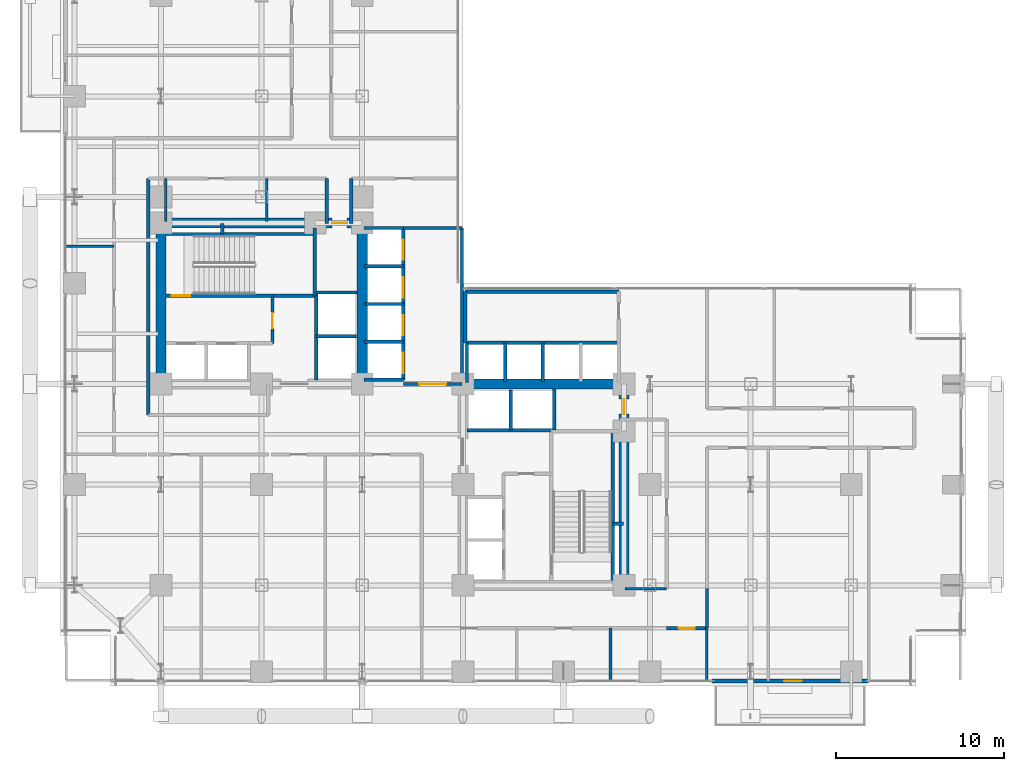
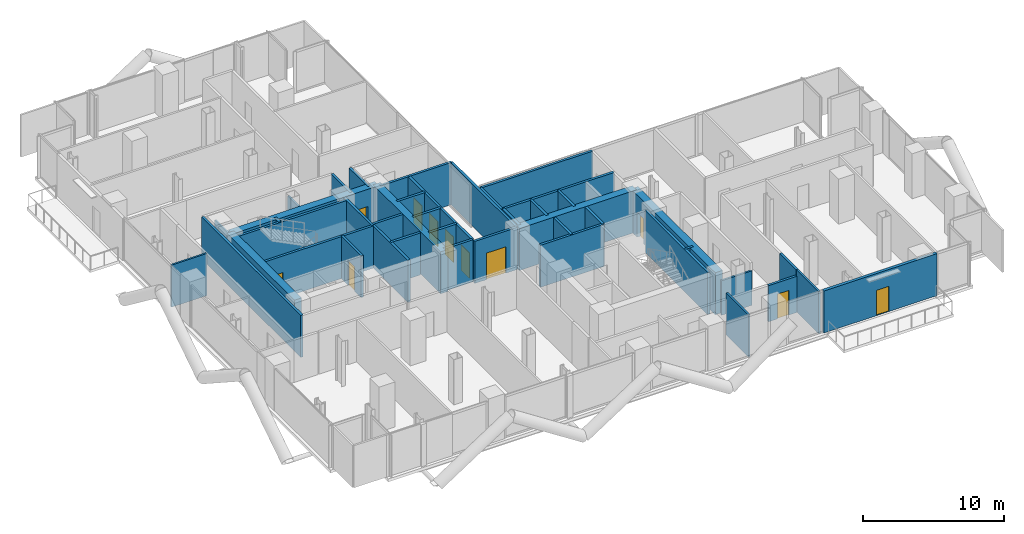
# One storey, part 22 of 27: 45 walls, 11 doors, 11 openings.
"""IFC4 building model written with IfcOpenShell, lengths in metres."""

from ifc_helpers import new_model, si_unit, direction, frame, frame_2d, origin, place, context, subcontext, project, spatial, rectangle, extrude, material, layer, layer_set, type_object, element, fill, save


model = new_model("IFC4")

# Units and contexts
model_context = context("Model", 3, precision=1e-05, world=origin(), true_north=direction((0.0, 1.0)))
body_context = subcontext(model_context, "Body", "Model", "MODEL_VIEW")
ifc_project = project(units=[si_unit("LENGTHUNIT", "METRE"), si_unit("AREAUNIT", "SQUARE_METRE"), si_unit("VOLUMEUNIT", "CUBIC_METRE"), si_unit("PLANEANGLEUNIT", "RADIAN"), si_unit("MASSUNIT", "GRAM", prefix="KILO"), si_unit("THERMODYNAMICTEMPERATUREUNIT", "KELVIN"), si_unit("POWERUNIT", "WATT")], contexts=[model_context])

# Site, building, storey
site_placement = place(None, origin())
site = spatial("IfcSite", under=ifc_project, at=site_placement, CompositionType="ELEMENT")
building_placement = place(site_placement, origin())
building = spatial("IfcBuilding", under=site, at=building_placement, Name="Svarakhadi Broadcast Tower", CompositionType="ELEMENT")
storey_placement = place(building_placement, frame((0.0, 0.0, 55.800048828125)))
storey = spatial("IfcBuildingStorey", under=building, at=storey_placement, Name="L12", CompositionType="ELEMENT", Elevation=55.800048828125)

# Wall, opening, door
ifc_material_1 = material(Name="Concrete C40/50 (IS 456 M50)", Category="concrete")
ifc_layer_1 = layer(ifc_material_1, 0.239990234375)
ifc_layer_set_1 = layer_set([ifc_layer_1], Name="Concrete C40/50 (IS 456 M50)")
wall_type_1 = type_object("IfcWallType", Name="Wall_Ext_240", PredefinedType="SOLIDWALL", material=ifc_layer_set_1)
wall_1_placement = place(storey_placement, frame((48.14501953125, 0.300048828125, 0.0), z_axis=(0.0, 0.0, 1.0), x_axis=(-1.0, 0.0, 0.0)))
wall_1 = element("IfcWall", 1, at=wall_1_placement, inside=storey, type_object=wall_type_1, Name="L12 South Tree Balcony Spandrel Wall", PredefinedType="SOLIDWALL", context=body_context, shape_type="SweptSolid", body=[
    extrude(rectangle(XDim=9.2900390625, YDim=0.239990234375, at=frame_2d((4.64501953125, 0.0))), origin(), (0.0, 0.0, 1.0), 3.64990234375),
])
opening_1_placement = place(wall_1_placement, frame((3.945068359375, 0.0, 0.0)))
opening_1 = element("IfcOpeningElement", 2, at=opening_1_placement, cuts=wall_1, Name="Opening ED-06", PredefinedType="OPENING", context=body_context, shape_type="SweptSolid", body=[
    extrude(rectangle(XDim=1.050048828125, YDim=2.199951171875, at=frame_2d((0.52490234375, 1.10009765625))), frame((0.0, 0.1298828125, 0.0), z_axis=(0.0, -1.0, 0.0), x_axis=(1.0, 0.0, 0.0)), (0.0, 0.0, 1.0), 0.260009765625),
])
ifc_material_2 = material(Name="Anodised Bronze Aluminium AA 6063-T6", Category="aluminium")
door_type_1 = type_object("IfcDoorType", Name="Door_Ext_ED06", OperationType="SINGLE_SWING_RIGHT", PredefinedType="DOOR", material=ifc_material_2)
door_1_placement = place(opening_1_placement, origin())
door_1 = element("IfcDoor", 3, at=door_1_placement, inside=storey, type_object=door_type_1, Name="L12 South Tree Balcony Door", OperationType="SINGLE_SWING_RIGHT", OverallHeight=2.199951171875, OverallWidth=1.050048828125, PredefinedType="DOOR", context=body_context, shape_type="SweptSolid", body=[
    extrude(rectangle(XDim=1.050048828125, YDim=2.199951171875, at=frame_2d((0.52490234375, 1.10009765625))), frame((0.0, 0.02490234375, 0.0), z_axis=(0.0, -1.0, 0.0), x_axis=(1.0, 0.0, 0.0)), (0.0, 0.0, 1.0), 0.050048828125),
])
fill(opening_1, door_1)

# Walls
ifc_layer_2 = layer(ifc_material_1, 0.199951171875)
ifc_layer_set_2 = layer_set([ifc_layer_2], Name="Concrete C40/50 (IS 456 M50)")
wall_type_2 = type_object("IfcWallType", Name="Wall_Fire_200", PredefinedType="SOLIDWALL", material=ifc_layer_set_2)
for number, where, z_axis, x_axis, name in (
    (4, (9.659912109375, 26.93994140625, 0.0), (0.0, 0.0, 1.0), (0.0, 1.0, 0.0), "L12 Wet Riser Shaft East Wall"),
    (5, (32.93994140625, 9.659912109375, 0.0), (0.0, 0.0, 1.0), (1.0, 0.0, 0.0), "L12 HV Busduct Riser Shaft North Wall"),
):
    element("IfcWall", number, at=place(storey_placement, frame(where, z_axis=z_axis, x_axis=x_axis)), inside=storey, type_object=wall_type_2, Name=name, PredefinedType="SOLIDWALL", context=body_context, shape_type="SweptSolid", body=[
        extrude(rectangle(XDim=0.64013671875, YDim=0.199951171875, at=frame_2d((0.320068359375, 0.0))), origin(), (0.0, 0.0, 1.0), 3.64990234375),
    ])
wall_2_placement = place(storey_placement, frame((38.550048828125, 5.800048828125, 0.0), z_axis=(0.0, 0.0, 1.0), x_axis=(0.0, -1.0, 0.0)))
element("IfcWall", 6, at=wall_2_placement, inside=storey, type_object=wall_type_2, Name="L12 Broadcast Corridor Wall", PredefinedType="SOLIDWALL", context=body_context, shape_type="SweptSolid", body=[
    extrude(rectangle(XDim=2.35009765625, YDim=0.199951171875, at=frame_2d((1.175048828125, 0.0))), origin(), (0.0, 0.0, 1.0), 3.64990234375),
])

# Wall, opening, door
wall_3_placement = place(storey_placement, frame((38.550048828125, 3.449951171875, 0.0), z_axis=(0.0, 0.0, 1.0), x_axis=(-1.0, 0.0, 0.0)))
wall_3 = element("IfcWall", 7, at=wall_3_placement, inside=storey, type_object=wall_type_2, Name="L12 Broadcast Corridor Wall", PredefinedType="SOLIDWALL", context=body_context, shape_type="SweptSolid", body=[
    extrude(rectangle(XDim=2.400146484375, YDim=0.199951171875, at=frame_2d((1.2001953125, 0.0))), origin(), (0.0, 0.0, 1.0), 3.141845703125),
])
opening_2_placement = place(wall_3_placement, frame((0.72509765625, 0.0, 0.0)))
opening_2 = element("IfcOpeningElement", 8, at=opening_2_placement, cuts=wall_3, Name="Opening D-06", PredefinedType="OPENING", context=body_context, shape_type="SweptSolid", body=[
    extrude(rectangle(XDim=0.949951171875, YDim=2.14990234375, at=frame_2d((0.47509765625, 1.074951171875))), frame((0.0, 0.10986328125, 0.0), z_axis=(0.0, -1.0, 0.0), x_axis=(1.0, 0.0, 0.0)), (0.0, 0.0, 1.0), 0.219970703125),
])
ifc_material_3 = material(Name="Solid-Core Teak Veneer Acoustic Timber Leaf", Category="wood")
door_type_2 = type_object("IfcDoorType", Name="Door_Office_D06", OperationType="SINGLE_SWING_LEFT", PredefinedType="DOOR", material=ifc_material_3)
door_2_placement = place(opening_2_placement, origin())
door_2 = element("IfcDoor", 9, at=door_2_placement, inside=storey, type_object=door_type_2, Name="L12 Broadcast Staff Refreshment Pantry Door", OperationType="SINGLE_SWING_LEFT", OverallHeight=2.14990234375, OverallWidth=0.949951171875, PredefinedType="DOOR", context=body_context, shape_type="SweptSolid", body=[
    extrude(rectangle(XDim=0.949951171875, YDim=2.14990234375, at=frame_2d((0.47509765625, 1.074951171875))), frame((0.0, 0.02490234375, 0.0), z_axis=(0.0, -1.0, 0.0), x_axis=(1.0, 0.0, 0.0)), (0.0, 0.0, 1.0), 0.050048828125),
])
fill(opening_2, door_2)

# Walls
for number, where, z_axis, x_axis, name in (
    (10, (17.35009765625, 30.25, 0.0), (0.0, 0.0, 1.0), (0.0, -1.0, 0.0), "L12 Broadcast Corridor Wall"),
    (11, (15.8798828125, 27.580078125, 0.0), (0.0, 0.0, 1.0), (0.0, 1.0, 0.0), "L12 Broadcast Corridor Wall"),
):
    element("IfcWall", number, at=place(storey_placement, frame(where, z_axis=z_axis, x_axis=x_axis)), inside=storey, type_object=wall_type_2, Name=name, PredefinedType="SOLIDWALL", context=body_context, shape_type="SweptSolid", body=[
        extrude(rectangle(XDim=2.669921875, YDim=0.199951171875, at=frame_2d((1.3349609375, 0.0))), origin(), (0.0, 0.0, 1.0), 3.64990234375),
    ])
wall_4_placement = place(storey_placement, frame((5.25, 30.25, 0.0), z_axis=(0.0, 0.0, 1.0), x_axis=(0.0, -1.0, 0.0)))
element("IfcWall", 12, at=wall_4_placement, inside=storey, type_object=wall_type_2, Name="L12 Broadcast Corridor Wall", PredefinedType="SOLIDWALL", context=body_context, shape_type="SweptSolid", body=[
    extrude(rectangle(XDim=14.10009765625, YDim=0.199951171875, at=frame_2d((7.050048828125, 0.0))), origin(), (0.0, 0.0, 1.0), 3.64990234375),
])
ifc_material_4 = material(Name="Autoclaved Aerated Concrete Blockwork 150 mm", Category="masonry")
ifc_layer_3 = layer(ifc_material_4, 0.14990234375)
ifc_layer_set_3 = layer_set([ifc_layer_3], Name="Autoclaved Aerated Concrete Blockwork 150 mm")
wall_type_3 = type_object("IfcWallType", Name="Wall_Part_150", PredefinedType="PARTITIONING", material=ifc_layer_set_3)
for number, where, z_axis, x_axis, name in (
    (13, (6.300048828125, 27.679931640625, 0.0), (0.0, 0.0, 1.0), (0.0, 1.0, 0.0), "L12 Accessible Toilet WC Wall"),
    (14, (12.300048828125, 27.679931640625, 0.0), (0.0, 0.0, 1.0), (0.0, 1.0, 0.0), "L12 Accessible Toilet WC Wall"),
):
    element("IfcWall", number, at=place(storey_placement, frame(where, z_axis=z_axis, x_axis=x_axis)), inside=storey, type_object=wall_type_3, Name=name, PredefinedType="PARTITIONING", context=body_context, shape_type="SweptSolid", body=[
        extrude(rectangle(XDim=2.570068359375, YDim=0.14990234375, at=frame_2d((1.28515625, 0.0))), origin(), (0.0, 0.0, 1.0), 2.991943359375),
    ])
wall_5_placement = place(storey_placement, frame((0.300048828125, 26.199951171875, 0.0), z_axis=(0.0, 0.0, 1.0), x_axis=(1.0, 0.0, 0.0)))
element("IfcWall", 15, at=wall_5_placement, inside=storey, type_object=wall_type_3, Name="L12 Live Translation Studio Wall", PredefinedType="PARTITIONING", context=body_context, shape_type="SweptSolid", body=[
    extrude(rectangle(XDim=2.89990234375, YDim=0.14990234375, at=frame_2d((1.449951171875, 0.0))), origin(), (0.0, 0.0, 1.0), 3.64990234375),
])
for number, where, z_axis, x_axis, name in (
    (16, (32.800048828125, 0.300048828125, 0.0), (0.0, 0.0, 1.0), (0.0, 1.0, 0.0), "L12 Media Legal Review Office Wall"),
    (17, (38.550048828125, 0.300048828125, 0.0), (0.0, 0.0, 1.0), (0.0, 1.0, 0.0), "L12 Broadcast Staff Refreshment Pantry Wall"),
):
    element("IfcWall", number, at=place(storey_placement, frame(where, z_axis=z_axis, x_axis=x_axis)), inside=storey, type_object=wall_type_3, Name=name, PredefinedType="PARTITIONING", context=body_context, shape_type="SweptSolid", body=[
        extrude(rectangle(XDim=3.14990234375, YDim=0.14990234375, at=frame_2d((1.574951171875, 0.0))), origin(), (0.0, 0.0, 1.0), 3.64990234375),
    ])
wall_6_placement = place(storey_placement, frame((33.64990234375, 5.800048828125, 0.0), z_axis=(0.0, 0.0, 1.0), x_axis=(1.0, 0.0, 0.0)))
element("IfcWall", 18, at=wall_6_placement, inside=storey, type_object=wall_type_3, Name="L12 Live Feed Monitoring Studio Wall", PredefinedType="PARTITIONING", context=body_context, shape_type="SweptSolid", body=[
    extrude(rectangle(XDim=2.5, YDim=0.14990234375, at=frame_2d((1.25, 0.0))), origin(), (0.0, 0.0, 1.0), 2.991943359375),
])

# Wall, opening, door
ifc_material_5 = material(Name="Concrete C50/60 (IS 456 M60)", Category="concrete")
ifc_layer_4 = layer(ifc_material_5, 0.199951171875)
ifc_layer_set_4 = layer_set([ifc_layer_4], Name="Concrete C50/60 (IS 456 M60)")
wall_type_4 = type_object("IfcWallType", Name="Wall_Shear_200", PredefinedType="SHEAR", material=ifc_layer_set_4)
wall_7_placement = place(storey_placement, frame((6.300048828125, 23.260009765625, 0.0), z_axis=(0.0, 0.0, 1.0), x_axis=(1.0, 0.0, 0.0)))
wall_7 = element("IfcWall", 19, at=wall_7_placement, inside=storey, type_object=wall_type_4, Name="L12 Stair ST-01 South RC Shaft Wall", PredefinedType="SHEAR", context=body_context, shape_type="SweptSolid", body=[
    extrude(rectangle(XDim=8.8798828125, YDim=0.199951171875, at=frame_2d((4.43994140625, 0.0))), origin(), (0.0, 0.0, 1.0), 3.64990234375),
])
opening_3_placement = place(wall_7_placement, frame((0.35009765625, 0.0, 0.0)))
opening_3 = element("IfcOpeningElement", 20, at=opening_3_placement, cuts=wall_7, Name="Opening D-01", PredefinedType="OPENING", context=body_context, shape_type="SweptSolid", body=[
    extrude(rectangle(XDim=1.10009765625, YDim=2.199951171875, at=frame_2d((0.550048828125, 1.10009765625))), frame((0.0, 0.10986328125, 0.0), z_axis=(0.0, -1.0, 0.0), x_axis=(1.0, 0.0, 0.0)), (0.0, 0.0, 1.0), 0.219970703125),
])
ifc_material_6 = material(Name="Galvanised Powder-Coated Fire-Rated Steel Leaf", Category="steel")
door_type_3 = type_object("IfcDoorType", Name="Door_Stair_D01", OperationType="SINGLE_SWING_LEFT", PredefinedType="DOOR", material=ifc_material_6)
door_3_placement = place(opening_3_placement, origin())
door_3 = element("IfcDoor", 21, at=door_3_placement, inside=storey, type_object=door_type_3, Name="L12 Protected Exit Stair ST-01 Fire Door", OperationType="SINGLE_SWING_LEFT", OverallHeight=2.199951171875, OverallWidth=1.10009765625, PredefinedType="DOOR", context=body_context, shape_type="SweptSolid", body=[
    extrude(rectangle(XDim=1.10009765625, YDim=2.199951171875, at=frame_2d((0.550048828125, 1.10009765625))), frame((0.0, 0.02490234375, 0.0), z_axis=(0.0, -1.0, 0.0), x_axis=(1.0, 0.0, 0.0)), (0.0, 0.0, 1.0), 0.050048828125),
])
fill(opening_3, door_3)

# Walls
wall_8_placement = place(storey_placement, frame((6.300048828125, 26.93994140625, 0.0), z_axis=(0.0, 0.0, 1.0), x_axis=(1.0, 0.0, 0.0)))
element("IfcWall", 22, at=wall_8_placement, inside=storey, type_object=wall_type_4, Name="L12 Stair ST-01 North RC Shaft Wall", PredefinedType="SHEAR", context=body_context, shape_type="SweptSolid", body=[
    extrude(rectangle(XDim=8.8798828125, YDim=0.199951171875, at=frame_2d((4.43994140625, 0.0))), origin(), (0.0, 0.0, 1.0), 3.64990234375),
])
wall_9_placement = place(storey_placement, frame((15.179931640625, 23.260009765625, 0.0), z_axis=(0.0, 0.0, 1.0), x_axis=(0.0, 1.0, 0.0)))
element("IfcWall", 23, at=wall_9_placement, inside=storey, type_object=wall_type_4, Name="L12 Stair ST-01 East RC Shaft Wall", PredefinedType="SHEAR", context=body_context, shape_type="SweptSolid", body=[
    extrude(rectangle(XDim=4.0400390625, YDim=0.199951171875, at=frame_2d((2.02001953125, 0.0))), origin(), (0.0, 0.0, 1.0), 3.64990234375),
])
wall_10_placement = place(storey_placement, frame((32.93994140625, 6.300048828125, 0.0), z_axis=(0.0, 0.0, 1.0), x_axis=(0.0, 1.0, 0.0)))
element("IfcWall", 24, at=wall_10_placement, inside=storey, type_object=wall_type_4, Name="L12 Stair ST-02 East RC Shaft Wall", PredefinedType="SHEAR", context=body_context, shape_type="SweptSolid", body=[
    extrude(rectangle(XDim=8.8798828125, YDim=0.199951171875, at=frame_2d((4.43994140625, 0.0))), origin(), (0.0, 0.0, 1.0), 3.64990234375),
])

# Wall, opening, door
wall_11_placement = place(storey_placement, frame((12.64990234375, 20.419921875, 0.0), z_axis=(0.0, 0.0, 1.0), x_axis=(0.0, 1.0, 0.0)))
wall_11 = element("IfcWall", 25, at=wall_11_placement, inside=storey, type_object=wall_type_4, Name="L12 West Firefighting Lobby East Wall", PredefinedType="SHEAR", context=body_context, shape_type="SweptSolid", body=[
    extrude(rectangle(XDim=2.840087890625, YDim=0.199951171875, at=frame_2d((1.419921875, 0.0))), origin(), (0.0, 0.0, 1.0), 3.64990234375),
])
opening_4_placement = place(wall_11_placement, frame((0.89990234375, 0.0, 0.0)))
opening_4 = element("IfcOpeningElement", 26, at=opening_4_placement, cuts=wall_11, Name="Opening D-03", PredefinedType="OPENING", context=body_context, shape_type="SweptSolid", body=[
    extrude(rectangle(XDim=0.89990234375, YDim=2.14990234375, at=frame_2d((0.449951171875, 1.074951171875))), frame((0.0, 0.10986328125, 0.0), z_axis=(0.0, -1.0, 0.0), x_axis=(1.0, 0.0, 0.0)), (0.0, 0.0, 1.0), 0.219970703125),
])
door_type_4 = type_object("IfcDoorType", Name="Door_Fire_D03", OperationType="SINGLE_SWING_LEFT", PredefinedType="DOOR", material=ifc_material_6)
door_4_placement = place(opening_4_placement, origin())
door_4 = element("IfcDoor", 27, at=door_4_placement, inside=storey, type_object=door_type_4, Name="L12 West Firefighting Lobby Fire Door", OperationType="SINGLE_SWING_LEFT", OverallHeight=2.14990234375, OverallWidth=0.89990234375, PredefinedType="DOOR", context=body_context, shape_type="SweptSolid", body=[
    extrude(rectangle(XDim=0.89990234375, YDim=2.14990234375, at=frame_2d((0.449951171875, 1.074951171875))), frame((0.0, 0.02490234375, 0.0), z_axis=(0.0, -1.0, 0.0), x_axis=(1.0, 0.0, 0.0)), (0.0, 0.0, 1.0), 0.050048828125),
])
fill(opening_4, door_4)

# Walls
wall_12_placement = place(storey_placement, frame((15.25, 18.25, 0.0), z_axis=(0.0, 0.0, 1.0), x_axis=(0.0, 1.0, 0.0)))
element("IfcWall", 28, at=wall_12_placement, inside=storey, type_object=wall_type_4, Name="L12 High-Rise Lift LF-13/14 West Shaft Wall", PredefinedType="SHEAR", context=body_context, shape_type="SweptSolid", body=[
    extrude(rectangle(XDim=5.199951171875, YDim=0.199951171875, at=frame_2d((2.60009765625, 0.0))), origin(), (0.0, 0.0, 1.0), 3.64990234375),
])
wall_13_placement = place(storey_placement, frame((15.25, 20.85009765625, 0.0), z_axis=(0.0, 0.0, 1.0), x_axis=(1.0, 0.0, 0.0)))
element("IfcWall", 29, at=wall_13_placement, inside=storey, type_object=wall_type_4, Name="L12 High-Rise Lift LF-13/14 Divider", PredefinedType="SHEAR", context=body_context, shape_type="SweptSolid", body=[
    extrude(rectangle(XDim=2.39990234375, YDim=0.199951171875, at=frame_2d((1.199951171875, 0.0))), origin(), (0.0, 0.0, 1.0), 3.64990234375),
])
wall_14_placement = place(storey_placement, frame((15.25, 23.449951171875, 0.0), z_axis=(0.0, 0.0, 1.0), x_axis=(1.0, 0.0, 0.0)))
element("IfcWall", 30, at=wall_14_placement, inside=storey, type_object=wall_type_4, Name="L12 High-Rise Lift LF-13/14 North Wall", PredefinedType="SHEAR", context=body_context, shape_type="SweptSolid", body=[
    extrude(rectangle(XDim=2.449951171875, YDim=0.199951171875, at=frame_2d((1.22509765625, 0.0))), origin(), (0.0, 0.0, 1.0), 3.64990234375),
])
wall_15_placement = place(storey_placement, frame((24.25, 15.25, 0.0), z_axis=(0.0, 0.0, 1.0), x_axis=(1.0, 0.0, 0.0)))
element("IfcWall", 31, at=wall_15_placement, inside=storey, type_object=wall_type_4, Name="L12 High-Rise Lift LF-15/16 South Shaft Wall", PredefinedType="SHEAR", context=body_context, shape_type="SweptSolid", body=[
    extrude(rectangle(XDim=5.199951171875, YDim=0.199951171875, at=frame_2d((2.60009765625, 0.0))), origin(), (0.0, 0.0, 1.0), 3.64990234375),
])
wall_16_placement = place(storey_placement, frame((26.85009765625, 15.25, 0.0), z_axis=(0.0, 0.0, 1.0), x_axis=(0.0, 1.0, 0.0)))
element("IfcWall", 32, at=wall_16_placement, inside=storey, type_object=wall_type_4, Name="L12 High-Rise Lift LF-15/16 Divider", PredefinedType="SHEAR", context=body_context, shape_type="SweptSolid", body=[
    extrude(rectangle(XDim=2.39990234375, YDim=0.199951171875, at=frame_2d((1.199951171875, 0.0))), origin(), (0.0, 0.0, 1.0), 3.64990234375),
])
wall_17_placement = place(storey_placement, frame((29.449951171875, 15.25, 0.0), z_axis=(0.0, 0.0, 1.0), x_axis=(0.0, 1.0, 0.0)))
element("IfcWall", 33, at=wall_17_placement, inside=storey, type_object=wall_type_4, Name="L12 High-Rise Lift LF-15/16 East Wall", PredefinedType="SHEAR", context=body_context, shape_type="SweptSolid", body=[
    extrude(rectangle(XDim=2.449951171875, YDim=0.199951171875, at=frame_2d((1.22509765625, 0.0))), origin(), (0.0, 0.0, 1.0), 3.64990234375),
])
for number, where, z_axis, x_axis, name in (
    (34, (18.10009765625, 27.300048828125, 0.0), (0.0, 0.0, 1.0), (1.0, 0.0, 0.0), "L12 Bank A North Shaft Wall"),
    (35, (18.10009765625, 18.25, 0.0), (0.0, 0.0, 1.0), (1.0, 0.0, 0.0), "L12 Bank A South Shaft Wall"),
):
    element("IfcWall", number, at=place(storey_placement, frame(where, z_axis=z_axis, x_axis=x_axis)), inside=storey, type_object=wall_type_4, Name=name, PredefinedType="SHEAR", context=body_context, shape_type="SweptSolid", body=[
        extrude(rectangle(XDim=2.349853515625, YDim=0.199951171875, at=frame_2d((1.1748046875, 0.0))), origin(), (0.0, 0.0, 1.0), 3.64990234375),
    ])

# Wall, openings, doors
wall_18_placement = place(storey_placement, frame((20.449951171875, 18.25, 0.0), z_axis=(0.0, 0.0, 1.0), x_axis=(0.0, 1.0, 0.0)))
wall_18 = element("IfcWall", 36, at=wall_18_placement, inside=storey, type_object=wall_type_4, Name="L12 Bank A East Landing Wall", PredefinedType="SHEAR", context=body_context, shape_type="SweptSolid", body=[
    extrude(rectangle(XDim=9.050048828125, YDim=0.199951171875, at=frame_2d((4.52490234375, 0.0))), origin(), (0.0, 0.0, 1.0), 3.64990234375),
])
opening_5_placement = place(wall_18_placement, frame((0.39990234375, 0.0, 0.0)))
opening_5 = element("IfcOpeningElement", 37, at=opening_5_placement, cuts=wall_18, Name="Opening LD-02", PredefinedType="OPENING", context=body_context, shape_type="SweptSolid", body=[
    extrude(rectangle(XDim=1.199951171875, YDim=2.199951171875, at=frame_2d((0.60009765625, 1.10009765625))), frame((0.0, 0.10986328125, 0.0), z_axis=(0.0, -1.0, 0.0), x_axis=(1.0, 0.0, 0.0)), (0.0, 0.0, 1.0), 0.219970703125),
])
opening_6_placement = place(wall_18_placement, frame((2.64990234375, 0.0, 0.0)))
opening_6 = element("IfcOpeningElement", 38, at=opening_6_placement, cuts=wall_18, Name="Opening LD-02", PredefinedType="OPENING", context=body_context, shape_type="SweptSolid", body=[
    extrude(rectangle(XDim=1.199951171875, YDim=2.199951171875, at=frame_2d((0.60009765625, 1.10009765625))), frame((0.0, 0.10986328125, 0.0), z_axis=(0.0, -1.0, 0.0), x_axis=(1.0, 0.0, 0.0)), (0.0, 0.0, 1.0), 0.219970703125),
])
opening_7_placement = place(wall_18_placement, frame((4.89990234375, 0.0, 0.0)))
opening_7 = element("IfcOpeningElement", 39, at=opening_7_placement, cuts=wall_18, Name="Opening LD-02", PredefinedType="OPENING", context=body_context, shape_type="SweptSolid", body=[
    extrude(rectangle(XDim=1.199951171875, YDim=2.199951171875, at=frame_2d((0.60009765625, 1.10009765625))), frame((0.0, 0.10986328125, 0.0), z_axis=(0.0, -1.0, 0.0), x_axis=(1.0, 0.0, 0.0)), (0.0, 0.0, 1.0), 0.219970703125),
])
opening_8_placement = place(wall_18_placement, frame((7.14990234375, 0.0, 0.0)))
opening_8 = element("IfcOpeningElement", 40, at=opening_8_placement, cuts=wall_18, Name="Opening LD-02", PredefinedType="OPENING", context=body_context, shape_type="SweptSolid", body=[
    extrude(rectangle(XDim=1.199951171875, YDim=2.199951171875, at=frame_2d((0.60009765625, 1.10009765625))), frame((0.0, 0.10986328125, 0.0), z_axis=(0.0, -1.0, 0.0), x_axis=(1.0, 0.0, 0.0)), (0.0, 0.0, 1.0), 0.219970703125),
])
door_type_5 = type_object("IfcDoorType", Name="Door_Lift_LD02", OperationType="SLIDING_TO_RIGHT", PredefinedType="DOOR", material=ifc_material_6)
door_5_placement = place(opening_5_placement, origin())
door_5 = element("IfcDoor", 41, at=door_5_placement, inside=storey, type_object=door_type_5, Name="L12 Low-Rise Lift LF-05 Landing Door", OperationType="SLIDING_TO_RIGHT", OverallHeight=2.199951171875, OverallWidth=1.199951171875, PredefinedType="DOOR", context=body_context, shape_type="SweptSolid", body=[
    extrude(rectangle(XDim=1.199951171875, YDim=2.199951171875, at=frame_2d((0.60009765625, 1.10009765625))), frame((0.0, 0.02490234375, 0.0), z_axis=(0.0, -1.0, 0.0), x_axis=(1.0, 0.0, 0.0)), (0.0, 0.0, 1.0), 0.050048828125),
])
fill(opening_5, door_5)
door_6_placement = place(opening_6_placement, origin())
door_6 = element("IfcDoor", 42, at=door_6_placement, inside=storey, type_object=door_type_5, Name="L12 Low-Rise Lift LF-06 Landing Door", OperationType="SLIDING_TO_RIGHT", OverallHeight=2.199951171875, OverallWidth=1.199951171875, PredefinedType="DOOR", context=body_context, shape_type="SweptSolid", body=[
    extrude(rectangle(XDim=1.199951171875, YDim=2.199951171875, at=frame_2d((0.60009765625, 1.10009765625))), frame((0.0, 0.02490234375, 0.0), z_axis=(0.0, -1.0, 0.0), x_axis=(1.0, 0.0, 0.0)), (0.0, 0.0, 1.0), 0.050048828125),
])
fill(opening_6, door_6)
door_7_placement = place(opening_7_placement, origin())
door_7 = element("IfcDoor", 43, at=door_7_placement, inside=storey, type_object=door_type_5, Name="L12 Low-Rise Lift LF-07 Landing Door", OperationType="SLIDING_TO_RIGHT", OverallHeight=2.199951171875, OverallWidth=1.199951171875, PredefinedType="DOOR", context=body_context, shape_type="SweptSolid", body=[
    extrude(rectangle(XDim=1.199951171875, YDim=2.199951171875, at=frame_2d((0.60009765625, 1.10009765625))), frame((0.0, 0.02490234375, 0.0), z_axis=(0.0, -1.0, 0.0), x_axis=(1.0, 0.0, 0.0)), (0.0, 0.0, 1.0), 0.050048828125),
])
fill(opening_7, door_7)
door_8_placement = place(opening_8_placement, origin())
door_8 = element("IfcDoor", 44, at=door_8_placement, inside=storey, type_object=door_type_5, Name="L12 Low-Rise Lift LF-08 Landing Door", OperationType="SLIDING_TO_RIGHT", OverallHeight=2.199951171875, OverallWidth=1.199951171875, PredefinedType="DOOR", context=body_context, shape_type="SweptSolid", body=[
    extrude(rectangle(XDim=1.199951171875, YDim=2.199951171875, at=frame_2d((0.60009765625, 1.10009765625))), frame((0.0, 0.02490234375, 0.0), z_axis=(0.0, -1.0, 0.0), x_axis=(1.0, 0.0, 0.0)), (0.0, 0.0, 1.0), 0.050048828125),
])
fill(opening_8, door_8)

# Walls
for number, where, z_axis, x_axis, name in (
    (45, (18.14990234375, 20.52001953125, 0.0), (0.0, 0.0, 1.0), (1.0, 0.0, 0.0), "L12 Bank A Divider"),
    (46, (18.14990234375, 22.77001953125, 0.0), (0.0, 0.0, 1.0), (1.0, 0.0, 0.0), "L12 Bank A Divider"),
    (47, (18.14990234375, 25.02001953125, 0.0), (0.0, 0.0, 1.0), (1.0, 0.0, 0.0), "L12 Bank A Divider"),
):
    element("IfcWall", number, at=place(storey_placement, frame(where, z_axis=z_axis, x_axis=x_axis)), inside=storey, type_object=wall_type_4, Name=name, PredefinedType="SHEAR", context=body_context, shape_type="SweptSolid", body=[
        extrude(rectangle(XDim=2.300048828125, YDim=0.199951171875, at=frame_2d((1.14990234375, 0.0))), origin(), (0.0, 0.0, 1.0), 3.64990234375),
    ])

# Wall, opening, door
wall_19_placement = place(storey_placement, frame((20.449951171875, 18.0, 0.0), z_axis=(0.0, 0.0, 1.0), x_axis=(1.0, 0.0, 0.0)))
wall_19 = element("IfcWall", 48, at=wall_19_placement, inside=storey, type_object=wall_type_4, Name="L12 Bank A Lift Hall South Wall", PredefinedType="SHEAR", context=body_context, shape_type="SweptSolid", body=[
    extrude(rectangle(XDim=3.5, YDim=0.199951171875, at=frame_2d((1.75, 0.0))), origin(), (0.0, 0.0, 1.0), 3.64990234375),
])
opening_9_placement = place(wall_19_placement, frame((0.949951171875, 0.0, 0.0)))
opening_9 = element("IfcOpeningElement", 49, at=opening_9_placement, cuts=wall_19, Name="Opening D-05", PredefinedType="OPENING", context=body_context, shape_type="SweptSolid", body=[
    extrude(rectangle(XDim=1.60009765625, YDim=2.300048828125, at=frame_2d((0.800048828125, 1.14990234375))), frame((0.0, 0.10986328125, 0.0), z_axis=(0.0, -1.0, 0.0), x_axis=(1.0, 0.0, 0.0)), (0.0, 0.0, 1.0), 0.219970703125),
])
door_type_6 = type_object("IfcDoorType", Name="Door_Lobby_D05", OperationType="DOUBLE_DOOR_SLIDING", PredefinedType="DOOR", material=ifc_material_2)
door_9_placement = place(opening_9_placement, origin())
door_9 = element("IfcDoor", 50, at=door_9_placement, inside=storey, type_object=door_type_6, Name="L12 Low-Rise Lift Hall Corridor Door", OperationType="DOUBLE_DOOR_SLIDING", OverallHeight=2.300048828125, OverallWidth=1.60009765625, PredefinedType="DOOR", context=body_context, shape_type="SweptSolid", body=[
    extrude(rectangle(XDim=1.60009765625, YDim=2.300048828125, at=frame_2d((0.800048828125, 1.14990234375))), frame((0.0, 0.02490234375, 0.0), z_axis=(0.0, -1.0, 0.0), x_axis=(1.0, 0.0, 0.0)), (0.0, 0.0, 1.0), 0.050048828125),
])
fill(opening_9, door_9)

# Walls
wall_20_placement = place(storey_placement, frame((20.449951171875, 27.300048828125, 0.0), z_axis=(0.0, 0.0, 1.0), x_axis=(1.0, 0.0, 0.0)))
element("IfcWall", 51, at=wall_20_placement, inside=storey, type_object=wall_type_4, Name="L12 Bank A Lift Hall North Wall", PredefinedType="SHEAR", context=body_context, shape_type="SweptSolid", body=[
    extrude(rectangle(XDim=3.5, YDim=0.199951171875, at=frame_2d((1.75, 0.0))), origin(), (0.0, 0.0, 1.0), 3.64990234375),
])
wall_21_placement = place(storey_placement, frame((23.949951171875, 18.0, 0.0), z_axis=(0.0, 0.0, 1.0), x_axis=(0.0, 1.0, 0.0)))
element("IfcWall", 52, at=wall_21_placement, inside=storey, type_object=wall_type_4, Name="L12 Bank A Lift Hall East Wall", PredefinedType="SHEAR", context=body_context, shape_type="SweptSolid", body=[
    extrude(rectangle(XDim=9.300048828125, YDim=0.199951171875, at=frame_2d((4.64990234375, 0.0))), origin(), (0.0, 0.0, 1.0), 3.64990234375),
])
wall_22_placement = place(storey_placement, frame((24.25, 18.10009765625, 0.0), z_axis=(0.0, 0.0, 1.0), x_axis=(0.0, 1.0, 0.0)))
element("IfcWall", 53, at=wall_22_placement, inside=storey, type_object=wall_type_4, Name="L12 Bank B West Shaft Wall", PredefinedType="SHEAR", context=body_context, shape_type="SweptSolid", body=[
    extrude(rectangle(XDim=2.349853515625, YDim=0.199951171875, at=frame_2d((1.1748046875, 0.0))), origin(), (0.0, 0.0, 1.0), 3.64990234375),
])
wall_23_placement = place(storey_placement, frame((24.25, 20.449951171875, 0.0), z_axis=(0.0, 0.0, 1.0), x_axis=(1.0, 0.0, 0.0)))
element("IfcWall", 54, at=wall_23_placement, inside=storey, type_object=wall_type_4, Name="L12 Bank B North Landing Wall", PredefinedType="SHEAR", context=body_context, shape_type="SweptSolid", body=[
    extrude(rectangle(XDim=9.050048828125, YDim=0.199951171875, at=frame_2d((4.52490234375, 0.0))), origin(), (0.0, 0.0, 1.0), 3.64990234375),
])
for number, where, z_axis, x_axis, name in (
    (55, (26.52001953125, 18.14990234375, 0.0), (0.0, 0.0, 1.0), (0.0, 1.0, 0.0), "L12 Bank B Divider"),
    (56, (28.77001953125, 18.14990234375, 0.0), (0.0, 0.0, 1.0), (0.0, 1.0, 0.0), "L12 Bank B Divider"),
):
    element("IfcWall", number, at=place(storey_placement, frame(where, z_axis=z_axis, x_axis=x_axis)), inside=storey, type_object=wall_type_4, Name=name, PredefinedType="SHEAR", context=body_context, shape_type="SweptSolid", body=[
        extrude(rectangle(XDim=2.300048828125, YDim=0.199951171875, at=frame_2d((1.14990234375, 0.0))), origin(), (0.0, 0.0, 1.0), 3.64990234375),
    ])
wall_24_placement = place(storey_placement, frame((24.14990234375, 23.5, 0.0), z_axis=(0.0, 0.0, 1.0), x_axis=(1.0, 0.0, 0.0)))
element("IfcWall", 57, at=wall_24_placement, inside=storey, type_object=wall_type_4, Name="L12 Bank B Lift Hall North Wall", PredefinedType="SHEAR", context=body_context, shape_type="SweptSolid", body=[
    extrude(rectangle(XDim=9.150146484375, YDim=0.199951171875, at=frame_2d((4.5751953125, 0.0))), origin(), (0.0, 0.0, 1.0), 3.64990234375),
])
wall_25_placement = place(storey_placement, frame((24.14990234375, 20.449951171875, 0.0), z_axis=(0.0, 0.0, 1.0), x_axis=(0.0, 1.0, 0.0)))
element("IfcWall", 58, at=wall_25_placement, inside=storey, type_object=wall_type_4, Name="L12 Bank B Lift Hall West Wall", PredefinedType="SHEAR", context=body_context, shape_type="SweptSolid", body=[
    extrude(rectangle(XDim=3.050048828125, YDim=0.199951171875, at=frame_2d((1.52490234375, 0.0))), origin(), (0.0, 0.0, 1.0), 3.64990234375),
])

# Wall, opening, door
ifc_material_7 = material(Name="Concrete C60/75 (IS 456 M70)", Category="concrete")
ifc_layer_5 = layer(ifc_material_7, 0.60009765625)
ifc_layer_set_5 = layer_set([ifc_layer_5], Name="Concrete C60/75 (IS 456 M70)")
wall_type_5 = type_object("IfcWallType", Name="Wall_Shear_600", PredefinedType="SHEAR", material=ifc_layer_set_5)
wall_26_placement = place(storey_placement, frame((6.0, 27.60009765625, 0.0), z_axis=(0.0, 0.0, 1.0), x_axis=(1.0, 0.0, 0.0)))
wall_26 = element("IfcWall", 59, at=wall_26_placement, inside=storey, type_object=wall_type_5, Name="L12 West Core North Shear Wall", PredefinedType="SHEAR", context=body_context, shape_type="SweptSolid", body=[
    extrude(rectangle(XDim=12.0, YDim=0.60009765625, at=frame_2d((6.0, 0.0))), origin(), (0.0, 0.0, 1.0), 3.64990234375),
])
opening_10_placement = place(wall_26_placement, frame((10.199951171875, 0.0, 0.0)))
opening_10 = element("IfcOpeningElement", 60, at=opening_10_placement, cuts=wall_26, Name="Opening D-04", PredefinedType="OPENING", context=body_context, shape_type="SweptSolid", body=[
    extrude(rectangle(XDim=0.89990234375, YDim=2.14990234375, at=frame_2d((0.449951171875, 1.074951171875))), frame((0.0, 0.31005859375, 0.0), z_axis=(0.0, -1.0, 0.0), x_axis=(1.0, 0.0, 0.0)), (0.0, 0.0, 1.0), 0.6201171875),
])
door_type_7 = type_object("IfcDoorType", Name="Door_Fire_D04", OperationType="SINGLE_SWING_RIGHT", PredefinedType="DOOR", material=ifc_material_6)
door_10_placement = place(opening_10_placement, origin())
door_10 = element("IfcDoor", 61, at=door_10_placement, inside=storey, type_object=door_type_7, Name="L12 Core Service Room West Door", OperationType="SINGLE_SWING_RIGHT", OverallHeight=2.14990234375, OverallWidth=0.89990234375, PredefinedType="DOOR", context=body_context, shape_type="SweptSolid", body=[
    extrude(rectangle(XDim=0.89990234375, YDim=2.14990234375, at=frame_2d((0.449951171875, 1.074951171875))), frame((0.0, 0.02490234375, 0.0), z_axis=(0.0, -1.0, 0.0), x_axis=(1.0, 0.0, 0.0)), (0.0, 0.0, 1.0), 0.050048828125),
])
fill(opening_10, door_10)

# Walls
for number, where, z_axis, x_axis, name in (
    (62, (6.0, 18.0, 0.0), (0.0, 0.0, 1.0), (0.0, 1.0, 0.0), "L12 West Core West Shear Wall"),
    (63, (18.0, 18.0, 0.0), (0.0, 0.0, 1.0), (0.0, 1.0, 0.0), "L12 West Core East Shear Wall"),
    (64, (24.0, 18.0, 0.0), (0.0, 0.0, 1.0), (1.0, 0.0, 0.0), "L12 East Core North Shear Wall"),
):
    element("IfcWall", number, at=place(storey_placement, frame(where, z_axis=z_axis, x_axis=x_axis)), inside=storey, type_object=wall_type_5, Name=name, PredefinedType="SHEAR", context=body_context, shape_type="SweptSolid", body=[
        extrude(rectangle(XDim=9.60009765625, YDim=0.60009765625, at=frame_2d((4.800048828125, 0.0))), origin(), (0.0, 0.0, 1.0), 3.64990234375),
    ])

# Wall, opening, door
wall_27_placement = place(storey_placement, frame((33.60009765625, 6.0, 0.0), z_axis=(0.0, 0.0, 1.0), x_axis=(0.0, 1.0, 0.0)))
wall_27 = element("IfcWall", 65, at=wall_27_placement, inside=storey, type_object=wall_type_5, Name="L12 East Core East Shear Wall", PredefinedType="SHEAR", context=body_context, shape_type="SweptSolid", body=[
    extrude(rectangle(XDim=12.0, YDim=0.60009765625, at=frame_2d((6.0, 0.0))), origin(), (0.0, 0.0, 1.0), 3.64990234375),
])
opening_11_placement = place(wall_27_placement, frame((10.199951171875, 0.0, 0.0)))
opening_11 = element("IfcOpeningElement", 66, at=opening_11_placement, cuts=wall_27, Name="Opening D-04", PredefinedType="OPENING", context=body_context, shape_type="SweptSolid", body=[
    extrude(rectangle(XDim=0.89990234375, YDim=2.14990234375, at=frame_2d((0.449951171875, 1.074951171875))), frame((0.0, 0.31005859375, 0.0), z_axis=(0.0, -1.0, 0.0), x_axis=(1.0, 0.0, 0.0)), (0.0, 0.0, 1.0), 0.6201171875),
])
door_11_placement = place(opening_11_placement, origin())
door_11 = element("IfcDoor", 67, at=door_11_placement, inside=storey, type_object=door_type_7, Name="L12 Core Service Room East Door", OperationType="SINGLE_SWING_RIGHT", OverallHeight=2.14990234375, OverallWidth=0.89990234375, PredefinedType="DOOR", context=body_context, shape_type="SweptSolid", body=[
    extrude(rectangle(XDim=0.89990234375, YDim=2.14990234375, at=frame_2d((0.449951171875, 1.074951171875))), frame((0.0, 0.02490234375, 0.0), z_axis=(0.0, -1.0, 0.0), x_axis=(1.0, 0.0, 0.0)), (0.0, 0.0, 1.0), 0.050048828125),
])
fill(opening_11, door_11)

save(model, "model.ifc")
